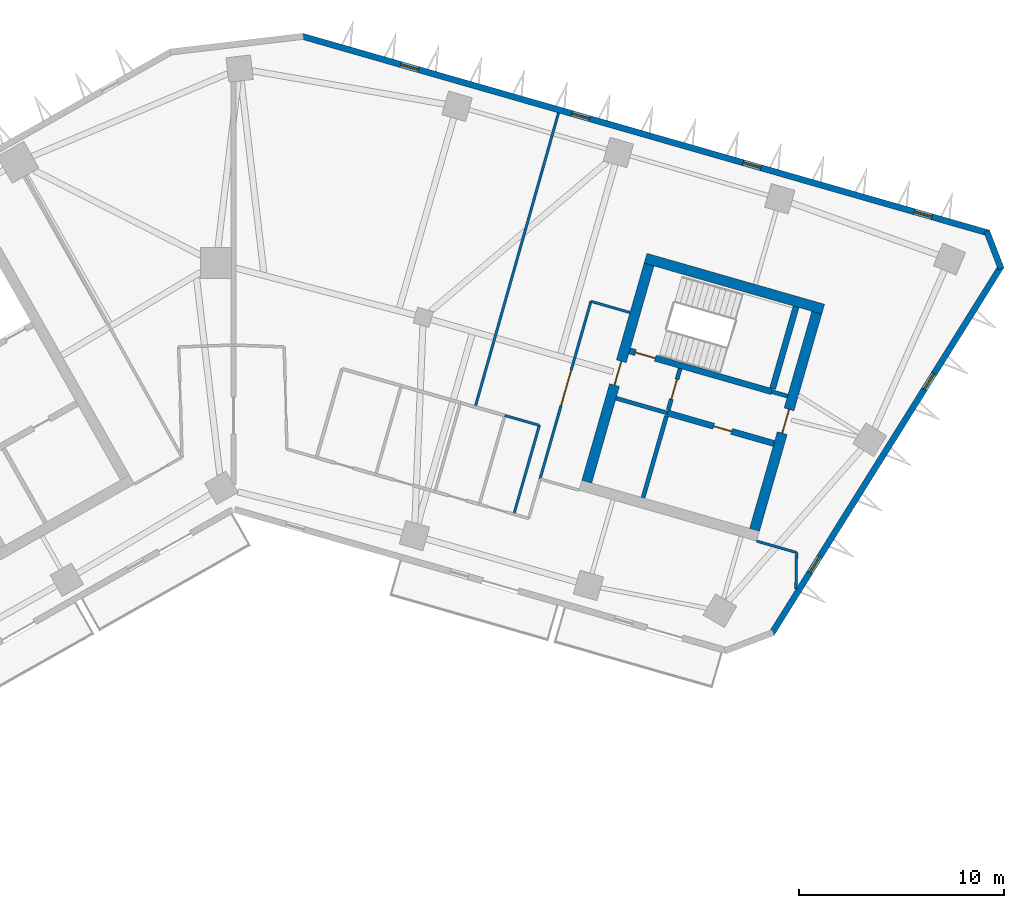
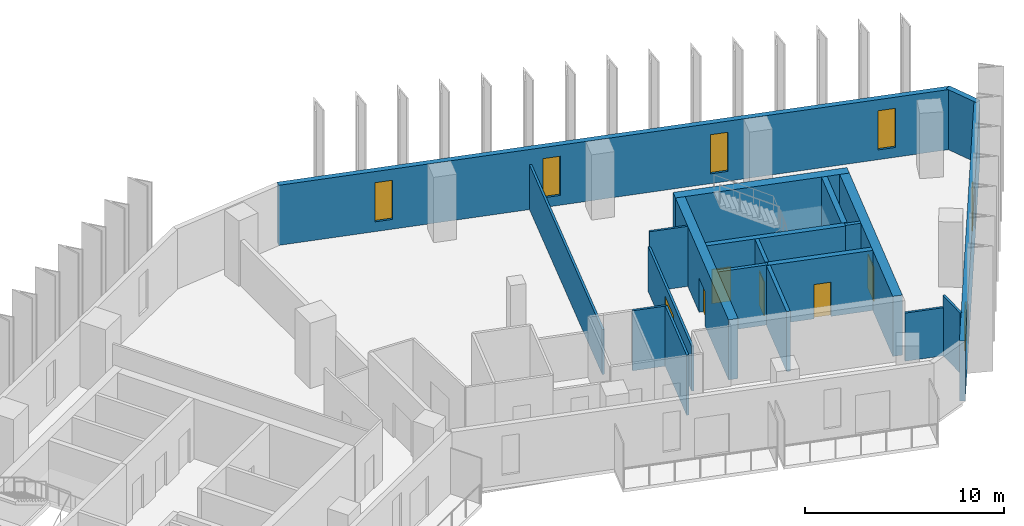
# One storey, part 6 of 10: 20 walls, 6 doors, 6 windows, 12 openings.
"""IFC4 building model written with IfcOpenShell, lengths in metres."""

from ifc_helpers import new_model, si_unit, direction, frame, frame_2d, origin, place, context, subcontext, project, spatial, rectangle, extrude, material, layer, layer_set, type_object, element, fill, save


model = new_model("IFC4")

# Units and contexts
model_context = context("Model", 3, precision=1e-05, world=origin(), true_north=direction((0.0, 1.0)))
body_context = subcontext(model_context, "Body", "Model", "MODEL_VIEW")
ifc_project = project(units=[si_unit("LENGTHUNIT", "METRE"), si_unit("AREAUNIT", "SQUARE_METRE"), si_unit("VOLUMEUNIT", "CUBIC_METRE"), si_unit("PLANEANGLEUNIT", "RADIAN"), si_unit("MASSUNIT", "GRAM", prefix="KILO")], contexts=[model_context])

# Site, building, storey
site_placement = place(None, origin())
site = spatial("IfcSite", under=ifc_project, at=site_placement, CompositionType="ELEMENT")
building_placement = place(site_placement, origin())
building = spatial("IfcBuilding", under=site, at=building_placement, Name="Binnacle Exchange Tower", CompositionType="ELEMENT")
storey_placement = place(building_placement, frame((0.0, 0.0, 162.89990234375)))
storey = spatial("IfcBuildingStorey", under=building, at=storey_placement, Name="L34", CompositionType="ELEMENT", Elevation=162.89990234375)

# Wall, opening, door
ifc_material_1 = material(Name="Concrete C70/85", Category="concrete")
ifc_layer_1 = layer(ifc_material_1, 0.300048828125)
ifc_layer_set_1 = layer_set([ifc_layer_1], Name="Core wall - front 300")
wall_type_1 = type_object("IfcWallType", Name="Core wall - front 300", PredefinedType="SOLIDWALL", material=ifc_layer_set_1)
wall_1_placement = place(storey_placement, frame((21.130859375, 52.6923828125, 0.0), z_axis=(0.0, 0.0, 1.0), x_axis=(0.961271043721, -0.27560475414, 0.0)))
wall_1 = element("IfcWall", 1, at=wall_1_placement, inside=storey, type_object=wall_type_1, Name="Core wall CRWD3", PredefinedType="SOLIDWALL", context=body_context, shape_type="SweptSolid", body=[
    extrude(rectangle(XDim=5.400146484375, YDim=0.300048828125, at=frame_2d((2.7001953125, 0.0))), origin(), (0.0, 0.0, 1.0), 3.68017578125),
])
opening_1_placement = place(wall_1_placement, frame((2.35009765625, 0.0, 0.0)))
opening_1 = element("IfcOpeningElement", 2, at=opening_1_placement, cuts=wall_1, Name="Opening DD10", PredefinedType="OPENING", context=body_context, shape_type="SweptSolid", body=[
    extrude(rectangle(XDim=0.89990234375, YDim=2.10009765625, at=frame_2d((0.449951171875, 1.050048828125))), frame((0.0, 0.159912109375, 0.0), z_axis=(0.0, -1.0, 0.0), x_axis=(1.0, 0.0, 0.0)), (0.0, 0.0, 1.0), 0.320068359375),
])
ifc_material_2 = material(Name="Steel door leaf", Category="steel")
door_type_1 = type_object("IfcDoorType", Name="Fire door 900", OperationType="NOTDEFINED", PredefinedType="DOOR", material=ifc_material_2)
door_1_placement = place(opening_1_placement, frame((0.89990234375, 0.0, 0.0), z_axis=(0.0, 0.0, 1.0), x_axis=(-1.0, 0.0, 0.0)))
door_1 = element("IfcDoor", 3, at=door_1_placement, inside=storey, type_object=door_type_1, Name="Core room door PANTRY", OperationType="SINGLE_SWING_LEFT", OverallHeight=2.10009765625, OverallWidth=0.89990234375, PredefinedType="DOOR", context=body_context, shape_type="SweptSolid", body=[
    extrude(rectangle(XDim=0.89990234375, YDim=2.10009765625, at=frame_2d((0.449951171875, 1.050048828125))), frame((0.0, 0.02490234375, 0.0), z_axis=(0.0, -1.0, 0.0), x_axis=(1.0, 0.0, 0.0)), (0.0, 0.0, 1.0), 0.050048828125),
])
fill(opening_1, door_1)

# Wall
ifc_layer_2 = layer(ifc_material_1, 0.5)
ifc_layer_set_2 = layer_set([ifc_layer_2], Name="Core wall - outer 500")
wall_type_2 = type_object("IfcWallType", Name="Core wall - outer 500", PredefinedType="SOLIDWALL", material=ifc_layer_set_2)
wall_2_placement = place(storey_placement, frame((20.066650390625, 60.227783203125, 0.0), z_axis=(0.0, 0.0, 1.0), x_axis=(0.96126248289, -0.275634611374, 0.0)))
element("IfcWall", 4, at=wall_2_placement, inside=storey, type_object=wall_type_2, Name="Core wall CRWD6", PredefinedType="SOLIDWALL", context=body_context, shape_type="SweptSolid", body=[
    extrude(rectangle(XDim=9.0, YDim=0.5, at=frame_2d((4.5, 0.0))), origin(), (0.0, 0.0, 1.0), 3.68017578125),
])

# Wall, opening, door
wall_3_placement = place(storey_placement, frame((17.2060546875, 49.344482421875, 0.0), z_axis=(0.0, 0.0, 1.0), x_axis=(0.275632651182, 0.961263044958, 0.0)))
wall_3 = element("IfcWall", 5, at=wall_3_placement, inside=storey, type_object=wall_type_2, Name="Core wall CRWD7", PredefinedType="SOLIDWALL", context=body_context, shape_type="SweptSolid", body=[
    extrude(rectangle(XDim=11.0, YDim=0.5, at=frame_2d((5.5, 0.0))), origin(), (0.0, 0.0, 1.0), 3.68017578125),
])
opening_2_placement = place(wall_3_placement, frame((4.89990234375, 0.0, 0.0)))
opening_2 = element("IfcOpeningElement", 6, at=opening_2_placement, cuts=wall_3, Name="Opening DD5", PredefinedType="OPENING", context=body_context, shape_type="SweptSolid", body=[
    extrude(rectangle(XDim=1.199951171875, YDim=2.10009765625, at=frame_2d((0.60009765625, 1.050048828125))), frame((0.0, 0.260009765625, 0.0), z_axis=(0.0, -1.0, 0.0), x_axis=(1.0, 0.0, 0.0)), (0.0, 0.0, 1.0), 0.52001953125),
])
door_type_2 = type_object("IfcDoorType", Name="Fire door 1200", OperationType="NOTDEFINED", PredefinedType="DOOR", material=ifc_material_2)
door_2_placement = place(opening_2_placement, origin())
door_2 = element("IfcDoor", 7, at=door_2_placement, inside=storey, type_object=door_type_2, Name="Vestibule exit door VEST-W", OperationType="SINGLE_SWING_LEFT", OverallHeight=2.10009765625, OverallWidth=1.199951171875, PredefinedType="DOOR", context=body_context, shape_type="SweptSolid", body=[
    extrude(rectangle(XDim=1.199951171875, YDim=2.10009765625, at=frame_2d((0.60009765625, 1.050048828125))), frame((0.0, 0.02490234375, 0.0), z_axis=(0.0, -1.0, 0.0), x_axis=(1.0, 0.0, 0.0)), (0.0, 0.0, 1.0), 0.050048828125),
])
fill(opening_2, door_2)

wall_4_placement = place(storey_placement, frame((25.376708984375, 47.001708984375, 0.0), z_axis=(0.0, 0.0, 1.0), x_axis=(0.275632651182, 0.961263044958, 0.0)))
wall_4 = element("IfcWall", 8, at=wall_4_placement, inside=storey, type_object=wall_type_2, Name="Core wall CRWD12", PredefinedType="SOLIDWALL", context=body_context, shape_type="SweptSolid", body=[
    extrude(rectangle(XDim=11.0, YDim=0.5, at=frame_2d((5.5, 0.0))), origin(), (0.0, 0.0, 1.0), 3.68017578125),
])
opening_3_placement = place(wall_4_placement, frame((4.89990234375, 0.0, 0.0)))
opening_3 = element("IfcOpeningElement", 9, at=opening_3_placement, cuts=wall_4, Name="Opening DD6", PredefinedType="OPENING", context=body_context, shape_type="SweptSolid", body=[
    extrude(rectangle(XDim=1.199951171875, YDim=2.10009765625, at=frame_2d((0.60009765625, 1.050048828125))), frame((0.0, 0.260009765625, 0.0), z_axis=(0.0, -1.0, 0.0), x_axis=(1.0, 0.0, 0.0)), (0.0, 0.0, 1.0), 0.52001953125),
])
door_3_placement = place(opening_3_placement, frame((1.199951171875, 0.0, 0.0), z_axis=(0.0, 0.0, 1.0), x_axis=(-1.0, 0.0, 0.0)))
door_3 = element("IfcDoor", 10, at=door_3_placement, inside=storey, type_object=door_type_2, Name="Core passage exit door", OperationType="SINGLE_SWING_RIGHT", OverallHeight=2.10009765625, OverallWidth=1.199951171875, PredefinedType="DOOR", context=body_context, shape_type="SweptSolid", body=[
    extrude(rectangle(XDim=1.199951171875, YDim=2.10009765625, at=frame_2d((0.60009765625, 1.050048828125))), frame((0.0, 0.02490234375, 0.0), z_axis=(0.0, -1.0, 0.0), x_axis=(1.0, 0.0, 0.0)), (0.0, 0.0, 1.0), 0.050048828125),
])
fill(opening_3, door_3)

ifc_layer_3 = layer(ifc_material_1, 0.300048828125)
ifc_layer_set_3 = layer_set([ifc_layer_3], Name="Core wall - stair 300")
wall_type_3 = type_object("IfcWallType", Name="Core wall - stair 300", PredefinedType="SOLIDWALL", material=ifc_layer_set_3)
wall_5_placement = place(storey_placement, frame((19.293212890625, 55.71630859375, 0.0), z_axis=(0.0, 0.0, 1.0), x_axis=(0.96125862491, -0.275648065539, 0.0)))
wall_5 = element("IfcWall", 11, at=wall_5_placement, inside=storey, type_object=wall_type_3, Name="Core wall CRWD4", PredefinedType="SOLIDWALL", context=body_context, shape_type="SweptSolid", body=[
    extrude(rectangle(XDim=7.199951171875, YDim=0.300048828125, at=frame_2d((3.60009765625, 0.0))), origin(), (0.0, 0.0, 1.0), 3.68017578125),
])
opening_4_placement = place(wall_5_placement, frame((0.300048828125, 0.0, 0.0)))
opening_4 = element("IfcOpeningElement", 12, at=opening_4_placement, cuts=wall_5, Name="Opening DD1", PredefinedType="OPENING", context=body_context, shape_type="SweptSolid", body=[
    extrude(rectangle(XDim=1.0, YDim=2.10009765625, at=frame_2d((0.5, 1.050048828125))), frame((0.0, 0.159912109375, 0.0), z_axis=(0.0, -1.0, 0.0), x_axis=(1.0, 0.0, 0.0)), (0.0, 0.0, 1.0), 0.320068359375),
])
door_type_3 = type_object("IfcDoorType", Name="Fire door 1000", OperationType="NOTDEFINED", PredefinedType="DOOR", material=ifc_material_2)
door_4_placement = place(opening_4_placement, origin())
door_4 = element("IfcDoor", 13, at=door_4_placement, inside=storey, type_object=door_type_3, Name="Stair door ST-D1", OperationType="SINGLE_SWING_LEFT", OverallHeight=2.10009765625, OverallWidth=1.0, PredefinedType="DOOR", context=body_context, shape_type="SweptSolid", body=[
    extrude(rectangle(XDim=1.0, YDim=2.10009765625, at=frame_2d((0.5, 1.050048828125))), frame((0.0, 0.02490234375, 0.0), z_axis=(0.0, -1.0, 0.0), x_axis=(1.0, 0.0, 0.0)), (0.0, 0.0, 1.0), 0.050048828125),
])
fill(opening_4, door_4)

# Wall
wall_6_placement = place(storey_placement, frame((26.255615234375, 53.875732421875, 0.0), z_axis=(0.0, 0.0, 1.0), x_axis=(0.275614546295, 0.961268236171, 0.0)))
element("IfcWall", 14, at=wall_6_placement, inside=storey, type_object=wall_type_3, Name="Core wall CRWD11", PredefinedType="SOLIDWALL", context=body_context, shape_type="SweptSolid", body=[
    extrude(rectangle(XDim=4.14990234375, YDim=0.300048828125, at=frame_2d((2.074951171875, 0.0))), origin(), (0.0, 0.0, 1.0), 3.68017578125),
])

# Wall, openings, windows
ifc_material_3 = material(Name="Bronze aluminium cladding", Category="aluminium")
ifc_layer_4 = layer(ifc_material_3, 0.300048828125)
ifc_layer_set_4 = layer_set([ifc_layer_4], Name="External wall - spandrel 300")
wall_type_4 = type_object("IfcWallType", Name="External wall - spandrel 300", PredefinedType="STANDARD", material=ifc_layer_set_4)
wall_7_placement = place(storey_placement, frame((37.39892578125, 59.850830078125, 0.0), z_axis=(0.0, 0.0, 1.0), x_axis=(-0.529919986982, -0.848047644532, 0.0)))
wall_7 = element("IfcWall", 15, at=wall_7_placement, inside=storey, type_object=wall_type_4, Name="External wall EW-G04 L34", PredefinedType="STANDARD", context=body_context, shape_type="SweptSolid", body=[
    extrude(rectangle(XDim=21.125, YDim=0.300048828125, at=frame_2d((10.5625, 0.0))), origin(), (0.0, 0.0, 1.0), 3.68017578125),
])
opening_5_placement = place(wall_7_placement, frame((16.687255859375, 0.0, 0.60009765625)))
opening_5 = element("IfcOpeningElement", 16, at=opening_5_placement, cuts=wall_7, Name="Opening WS3", PredefinedType="OPENING", context=body_context, shape_type="SweptSolid", body=[
    extrude(rectangle(XDim=0.89990234375, YDim=2.39990234375, at=frame_2d((0.449951171875, 1.199951171875))), frame((0.0, 0.159912109375, 0.0), z_axis=(0.0, -1.0, 0.0), x_axis=(1.0, 0.0, 0.0)), (0.0, 0.0, 1.0), 0.320068359375),
])
opening_6_placement = place(wall_7_placement, frame((6.187255859375, 0.0, 0.60009765625)))
opening_6 = element("IfcOpeningElement", 17, at=opening_6_placement, cuts=wall_7, Name="Opening WS3", PredefinedType="OPENING", context=body_context, shape_type="SweptSolid", body=[
    extrude(rectangle(XDim=0.89990234375, YDim=2.39990234375, at=frame_2d((0.449951171875, 1.199951171875))), frame((0.0, 0.159912109375, 0.0), z_axis=(0.0, -1.0, 0.0), x_axis=(1.0, 0.0, 0.0)), (0.0, 0.0, 1.0), 0.320068359375),
])
ifc_material_4 = material(Name="Bronze anodised aluminium frame", Category="aluminium")
window_type = type_object("IfcWindowType", Name="WS3 WINDOW 900x2400", PartitioningType="SINGLE_PANEL", PredefinedType="WINDOW", material=ifc_material_4)
window_1_placement = place(opening_5_placement, origin())
window_1 = element("IfcWindow", 18, at=window_1_placement, inside=storey, type_object=window_type, Name="Window WS3 L34", OverallHeight=2.39990234375, OverallWidth=0.89990234375, PartitioningType="SINGLE_PANEL", PredefinedType="WINDOW", context=body_context, shape_type="SweptSolid", body=[
    extrude(rectangle(XDim=0.89990234375, YDim=2.39990234375, at=frame_2d((0.449951171875, 1.199951171875))), frame((0.0, 0.030029296875, 0.0), z_axis=(0.0, -1.0, 0.0), x_axis=(1.0, 0.0, 0.0)), (0.0, 0.0, 1.0), 0.06005859375),
])
fill(opening_5, window_1)
window_2_placement = place(opening_6_placement, origin())
window_2 = element("IfcWindow", 19, at=window_2_placement, inside=storey, type_object=window_type, Name="Window WS3 L34", OverallHeight=2.39990234375, OverallWidth=0.89990234375, PartitioningType="SINGLE_PANEL", PredefinedType="WINDOW", context=body_context, shape_type="SweptSolid", body=[
    extrude(rectangle(XDim=0.89990234375, YDim=2.39990234375, at=frame_2d((0.449951171875, 1.199951171875))), frame((0.0, 0.030029296875, 0.0), z_axis=(0.0, -1.0, 0.0), x_axis=(1.0, 0.0, 0.0)), (0.0, 0.0, 1.0), 0.06005859375),
])
fill(opening_6, window_2)

# Wall
wall_8_placement = place(storey_placement, frame((36.685546875, 61.542724609375, 0.0), z_axis=(0.0, 0.0, 1.0), x_axis=(0.358284408222, -0.933612490718, 0.0)))
element("IfcWall", 20, at=wall_8_placement, inside=storey, type_object=wall_type_4, Name="External wall EW-G05 L34", PredefinedType="STANDARD", context=body_context, shape_type="SweptSolid", body=[
    extrude(rectangle(XDim=1.955078125, YDim=0.300048828125, at=frame_2d((0.9775390625, 0.0))), origin(), (0.0, 0.0, 1.0), 3.68017578125),
])

# Wall, openings, windows
wall_9_placement = place(storey_placement, frame((3.33544921875, 71.043701171875, 0.0), z_axis=(0.0, 0.0, 1.0), x_axis=(0.961261395375, -0.275638404002, 0.0)))
wall_9 = element("IfcWall", 21, at=wall_9_placement, inside=storey, type_object=wall_type_4, Name="External wall EW-G06 L34", PredefinedType="STANDARD", context=body_context, shape_type="SweptSolid", body=[
    extrude(rectangle(XDim=34.796630859375, YDim=0.300048828125, at=frame_2d((17.3984375, 0.0))), origin(), (0.0, 0.0, 1.0), 3.68017578125),
])
opening_7_placement = place(wall_9_placement, frame((31.01953125, 0.0, 0.60009765625)))
opening_7 = element("IfcOpeningElement", 22, at=opening_7_placement, cuts=wall_9, Name="Opening WS3", PredefinedType="OPENING", context=body_context, shape_type="SweptSolid", body=[
    extrude(rectangle(XDim=0.89990234375, YDim=2.39990234375, at=frame_2d((0.449951171875, 1.199951171875))), frame((0.0, 0.159912109375, 0.0), z_axis=(0.0, -1.0, 0.0), x_axis=(1.0, 0.0, 0.0)), (0.0, 0.0, 1.0), 0.320068359375),
])
opening_8_placement = place(wall_9_placement, frame((22.3466796875, 0.0, 0.60009765625)))
opening_8 = element("IfcOpeningElement", 23, at=opening_8_placement, cuts=wall_9, Name="Opening WS3", PredefinedType="OPENING", context=body_context, shape_type="SweptSolid", body=[
    extrude(rectangle(XDim=0.89990234375, YDim=2.39990234375, at=frame_2d((0.449951171875, 1.199951171875))), frame((0.0, 0.159912109375, 0.0), z_axis=(0.0, -1.0, 0.0), x_axis=(1.0, 0.0, 0.0)), (0.0, 0.0, 1.0), 0.320068359375),
])
opening_9_placement = place(wall_9_placement, frame((13.673583984375, 0.0, 0.60009765625)))
opening_9 = element("IfcOpeningElement", 24, at=opening_9_placement, cuts=wall_9, Name="Opening WS3", PredefinedType="OPENING", context=body_context, shape_type="SweptSolid", body=[
    extrude(rectangle(XDim=0.89990234375, YDim=2.39990234375, at=frame_2d((0.449951171875, 1.199951171875))), frame((0.0, 0.159912109375, 0.0), z_axis=(0.0, -1.0, 0.0), x_axis=(1.0, 0.0, 0.0)), (0.0, 0.0, 1.0), 0.320068359375),
])
opening_10_placement = place(wall_9_placement, frame((5.000732421875, 0.0, 0.60009765625)))
opening_10 = element("IfcOpeningElement", 25, at=opening_10_placement, cuts=wall_9, Name="Opening WS3", PredefinedType="OPENING", context=body_context, shape_type="SweptSolid", body=[
    extrude(rectangle(XDim=0.89990234375, YDim=2.39990234375, at=frame_2d((0.449951171875, 1.199951171875))), frame((0.0, 0.159912109375, 0.0), z_axis=(0.0, -1.0, 0.0), x_axis=(1.0, 0.0, 0.0)), (0.0, 0.0, 1.0), 0.320068359375),
])
window_3_placement = place(opening_7_placement, origin())
window_3 = element("IfcWindow", 26, at=window_3_placement, inside=storey, type_object=window_type, Name="Window WS3 L34", OverallHeight=2.39990234375, OverallWidth=0.89990234375, PartitioningType="SINGLE_PANEL", PredefinedType="WINDOW", context=body_context, shape_type="SweptSolid", body=[
    extrude(rectangle(XDim=0.89990234375, YDim=2.39990234375, at=frame_2d((0.449951171875, 1.199951171875))), frame((0.0, 0.030029296875, 0.0), z_axis=(0.0, -1.0, 0.0), x_axis=(1.0, 0.0, 0.0)), (0.0, 0.0, 1.0), 0.06005859375),
])
fill(opening_7, window_3)
window_4_placement = place(opening_8_placement, origin())
window_4 = element("IfcWindow", 27, at=window_4_placement, inside=storey, type_object=window_type, Name="Window WS3 L34", OverallHeight=2.39990234375, OverallWidth=0.89990234375, PartitioningType="SINGLE_PANEL", PredefinedType="WINDOW", context=body_context, shape_type="SweptSolid", body=[
    extrude(rectangle(XDim=0.89990234375, YDim=2.39990234375, at=frame_2d((0.449951171875, 1.199951171875))), frame((0.0, 0.030029296875, 0.0), z_axis=(0.0, -1.0, 0.0), x_axis=(1.0, 0.0, 0.0)), (0.0, 0.0, 1.0), 0.06005859375),
])
fill(opening_8, window_4)
window_5_placement = place(opening_9_placement, origin())
window_5 = element("IfcWindow", 28, at=window_5_placement, inside=storey, type_object=window_type, Name="Window WS3 L34", OverallHeight=2.39990234375, OverallWidth=0.89990234375, PartitioningType="SINGLE_PANEL", PredefinedType="WINDOW", context=body_context, shape_type="SweptSolid", body=[
    extrude(rectangle(XDim=0.89990234375, YDim=2.39990234375, at=frame_2d((0.449951171875, 1.199951171875))), frame((0.0, 0.030029296875, 0.0), z_axis=(0.0, -1.0, 0.0), x_axis=(1.0, 0.0, 0.0)), (0.0, 0.0, 1.0), 0.06005859375),
])
fill(opening_9, window_5)
window_6_placement = place(opening_10_placement, origin())
window_6 = element("IfcWindow", 29, at=window_6_placement, inside=storey, type_object=window_type, Name="Window WS3 L34", OverallHeight=2.39990234375, OverallWidth=0.89990234375, PartitioningType="SINGLE_PANEL", PredefinedType="WINDOW", context=body_context, shape_type="SweptSolid", body=[
    extrude(rectangle(XDim=0.89990234375, YDim=2.39990234375, at=frame_2d((0.449951171875, 1.199951171875))), frame((0.0, 0.030029296875, 0.0), z_axis=(0.0, -1.0, 0.0), x_axis=(1.0, 0.0, 0.0)), (0.0, 0.0, 1.0), 0.06005859375),
])
fill(opening_10, window_6)

# Wall, opening, door
ifc_material_5 = material(Name="Masonry block wall", Category="masonry")
ifc_layer_5 = layer(ifc_material_5, 0.199951171875)
ifc_layer_set_5 = layer_set([ifc_layer_5], Name="Fire wall - vestibule 200")
wall_type_5 = type_object("IfcWallType", Name="Fire wall - vestibule 200", PredefinedType="PARTITIONING", material=ifc_layer_set_5)
wall_10_placement = place(storey_placement, frame((21.172119140625, 52.836669921875, 0.0), z_axis=(0.0, 0.0, 1.0), x_axis=(0.275657676022, 0.961255868981, 0.0)))
wall_10 = element("IfcWall", 30, at=wall_10_placement, inside=storey, type_object=wall_type_5, Name="Core wall CRWD9", PredefinedType="PARTITIONING", context=body_context, shape_type="SweptSolid", body=[
    extrude(rectangle(XDim=2.099853515625, YDim=0.199951171875, at=frame_2d((1.0498046875, 0.0))), origin(), (0.0, 0.0, 1.0), 3.68017578125),
])
opening_11_placement = place(wall_10_placement, frame((0.550048828125, 0.0, 0.0)))
opening_11 = element("IfcOpeningElement", 31, at=opening_11_placement, cuts=wall_10, Name="Opening DD3", PredefinedType="OPENING", context=body_context, shape_type="SweptSolid", body=[
    extrude(rectangle(XDim=1.0, YDim=2.10009765625, at=frame_2d((0.5, 1.050048828125))), frame((0.0, 0.10986328125, 0.0), z_axis=(0.0, -1.0, 0.0), x_axis=(1.0, 0.0, 0.0)), (0.0, 0.0, 1.0), 0.219970703125),
])
door_5_placement = place(opening_11_placement, origin())
door_5 = element("IfcDoor", 32, at=door_5_placement, inside=storey, type_object=door_type_3, Name="Vestibule door VEST-W", OperationType="SINGLE_SWING_RIGHT", OverallHeight=2.10009765625, OverallWidth=1.0, PredefinedType="DOOR", context=body_context, shape_type="SweptSolid", body=[
    extrude(rectangle(XDim=1.0, YDim=2.10009765625, at=frame_2d((0.5, 1.050048828125))), frame((0.0, 0.02490234375, 0.0), z_axis=(0.0, -1.0, 0.0), x_axis=(1.0, 0.0, 0.0)), (0.0, 0.0, 1.0), 0.050048828125),
])
fill(opening_11, door_5)

# Walls
ifc_material_6 = material(Name="Gypsum partition")
ifc_layer_6 = layer(ifc_material_6, 0.125)
ifc_layer_set_6 = layer_set([ifc_layer_6], Name="Partition 125")
wall_type_6 = type_object("IfcWallType", Name="Partition 125", PredefinedType="PARTITIONING", material=ifc_layer_set_6)
wall_11_placement = place(storey_placement, frame((11.77197265625, 52.98291015625, 0.0), z_axis=(0.0, 0.0, 1.0), x_axis=(0.272554241659, 0.96214041873, 0.0)))
element("IfcWall", 33, at=wall_11_placement, inside=storey, type_object=wall_type_6, Name="Partition W27", PredefinedType="PARTITIONING", context=body_context, shape_type="SweptSolid", body=[
    extrude(rectangle(XDim=14.885498046875, YDim=0.125, at=frame_2d((7.44287109375, 0.0))), origin(), (0.0, 0.0, 1.0), 2.748046875),
])
wall_12_placement = place(storey_placement, frame((13.214111328125, 52.570068359375, 0.0), z_axis=(0.0, 0.0, 1.0), x_axis=(0.961276075309, -0.275587204055, 0.0)))
element("IfcWall", 34, at=wall_12_placement, inside=storey, type_object=wall_type_6, Name="Partition W30", PredefinedType="PARTITIONING", context=body_context, shape_type="SweptSolid", body=[
    extrude(rectangle(XDim=1.749755859375, YDim=0.125, at=frame_2d((0.875, 0.0))), origin(), (0.0, 0.0, 1.0), 3.68017578125),
])
wall_13_placement = place(storey_placement, frame((13.656005859375, 47.761962890625, 0.0), z_axis=(0.0, 0.0, 1.0), x_axis=(0.275545040649, 0.96128816209, 0.0)))
element("IfcWall", 35, at=wall_13_placement, inside=storey, type_object=wall_type_6, Name="Partition W32", PredefinedType="PARTITIONING", context=body_context, shape_type="SweptSolid", body=[
    extrude(rectangle(XDim=4.500244140625, YDim=0.125, at=frame_2d((2.25, 0.0))), origin(), (0.0, 0.0, 1.0), 3.68017578125),
])

# Wall, opening, door
wall_14_placement = place(storey_placement, frame((14.927978515625, 49.47802734375, 0.0), z_axis=(0.0, 0.0, 1.0), x_axis=(0.275674053528, 0.961251172281, 0.0)))
wall_14 = element("IfcWall", 36, at=wall_14_placement, inside=storey, type_object=wall_type_6, Name="Partition W35", PredefinedType="PARTITIONING", context=body_context, shape_type="SweptSolid", body=[
    extrude(rectangle(XDim=8.99951171875, YDim=0.125, at=frame_2d((4.499755859375, 0.0))), origin(), (0.0, 0.0, 1.0), 2.748046875),
])
opening_12_placement = place(wall_14_placement, frame((3.699951171875, 0.0, 0.0)))
opening_12 = element("IfcOpeningElement", 37, at=opening_12_placement, cuts=wall_14, Name="Opening DL32-11", PredefinedType="OPENING", context=body_context, shape_type="SweptSolid", body=[
    extrude(rectangle(XDim=1.800048828125, YDim=2.10009765625, at=frame_2d((0.89990234375, 1.050048828125))), frame((0.0, 0.072509765625, 0.0), z_axis=(0.0, -1.0, 0.0), x_axis=(1.0, 0.0, 0.0)), (0.0, 0.0, 1.0), 0.14501953125),
])
ifc_material_7 = material(Name="Timber door leaf", Category="wood")
door_type_4 = type_object("IfcDoorType", Name="Double door 1800", OperationType="NOTDEFINED", PredefinedType="DOOR", material=ifc_material_7)
door_6_placement = place(opening_12_placement, origin())
door_6 = element("IfcDoor", 38, at=door_6_placement, inside=storey, type_object=door_type_4, Name="Door DL32-11", OperationType="DOUBLE_DOOR_SINGLE_SWING", OverallHeight=2.10009765625, OverallWidth=1.800048828125, PredefinedType="DOOR", context=body_context, shape_type="SweptSolid", body=[
    extrude(rectangle(XDim=1.800048828125, YDim=2.10009765625, at=frame_2d((0.89990234375, 1.050048828125))), frame((0.0, 0.02490234375, 0.0), z_axis=(0.0, -1.0, 0.0), x_axis=(1.0, 0.0, 0.0)), (0.0, 0.0, 1.0), 0.050048828125),
])
fill(opening_12, door_6)

# Walls
wall_15_placement = place(storey_placement, frame((17.408935546875, 58.12890625, 0.0), z_axis=(0.0, 0.0, 1.0), x_axis=(0.961253165474, -0.275667103345, 0.0)))
element("IfcWall", 39, at=wall_15_placement, inside=storey, type_object=wall_type_6, Name="Partition W36", PredefinedType="PARTITIONING", context=body_context, shape_type="SweptSolid", body=[
    extrude(rectangle(XDim=1.976806640625, YDim=0.125, at=frame_2d((0.98828125, 0.0))), origin(), (0.0, 0.0, 1.0), 3.68017578125),
])
wall_16_placement = place(storey_placement, frame((25.47900390625, 46.451904296875, 0.0), z_axis=(0.0, 0.0, 1.0), x_axis=(0.961245725795, -0.275693044238, 0.0)))
element("IfcWall", 40, at=wall_16_placement, inside=storey, type_object=wall_type_6, Name="Partition W37", PredefinedType="PARTITIONING", context=body_context, shape_type="SweptSolid", body=[
    extrude(rectangle(XDim=2.0234375, YDim=0.125, at=frame_2d((1.01171875, 0.0))), origin(), (0.0, 0.0, 1.0), 2.9521484375),
])
wall_17_placement = place(storey_placement, frame((27.39111328125, 44.116943359375, 0.0), z_axis=(0.0, 0.0, 1.0), x_axis=(0.018543314717, 0.999828057958, 0.0)))
element("IfcWall", 41, at=wall_17_placement, inside=storey, type_object=wall_type_6, Name="Partition W38", PredefinedType="PARTITIONING", context=body_context, shape_type="SweptSolid", body=[
    extrude(rectangle(XDim=1.77734375, YDim=0.125, at=frame_2d((0.888671875, 0.0))), origin(), (0.0, 0.0, 1.0), 3.68017578125),
])
ifc_layer_7 = layer(ifc_material_5, 0.199951171875)
ifc_layer_set_7 = layer_set([ifc_layer_7], Name="Riser wall 200")
wall_type_7 = type_object("IfcWallType", Name="Riser wall 200", PredefinedType="SOLIDWALL", material=ifc_layer_set_7)
wall_18_placement = place(storey_placement, frame((18.631591796875, 53.4091796875, 0.0), z_axis=(0.0, 0.0, 1.0), x_axis=(0.961247078216, -0.275688328772, 0.0)))
element("IfcWall", 42, at=wall_18_placement, inside=storey, type_object=wall_type_7, Name="Core wall CRWD2", PredefinedType="SOLIDWALL", context=body_context, shape_type="SweptSolid", body=[
    extrude(rectangle(XDim=2.60009765625, YDim=0.199951171875, at=frame_2d((1.300048828125, 0.0))), origin(), (0.0, 0.0, 1.0), 3.68017578125),
])
wall_19_placement = place(storey_placement, frame((26.214111328125, 53.731689453125, 0.0), z_axis=(0.0, 0.0, 1.0), x_axis=(0.961200870072, -0.275849392554, 0.0)))
element("IfcWall", 43, at=wall_19_placement, inside=storey, type_object=wall_type_7, Name="Core wall CRWD5", PredefinedType="SOLIDWALL", context=body_context, shape_type="SweptSolid", body=[
    extrude(rectangle(XDim=0.800048828125, YDim=0.199951171875, at=frame_2d((0.39990234375, 0.0))), origin(), (0.0, 0.0, 1.0), 3.68017578125),
])
wall_20_placement = place(storey_placement, frame((19.945556640625, 48.55908203125, 0.0), z_axis=(0.0, 0.0, 1.0), x_axis=(0.275668905258, 0.961252648721, 0.0)))
element("IfcWall", 44, at=wall_20_placement, inside=storey, type_object=wall_type_7, Name="Core wall CRWD8", PredefinedType="SOLIDWALL", context=body_context, shape_type="SweptSolid", body=[
    extrude(rectangle(XDim=4.150146484375, YDim=0.199951171875, at=frame_2d((2.0751953125, 0.0))), origin(), (0.0, 0.0, 1.0), 3.68017578125),
])

save(model, "model.ifc")
